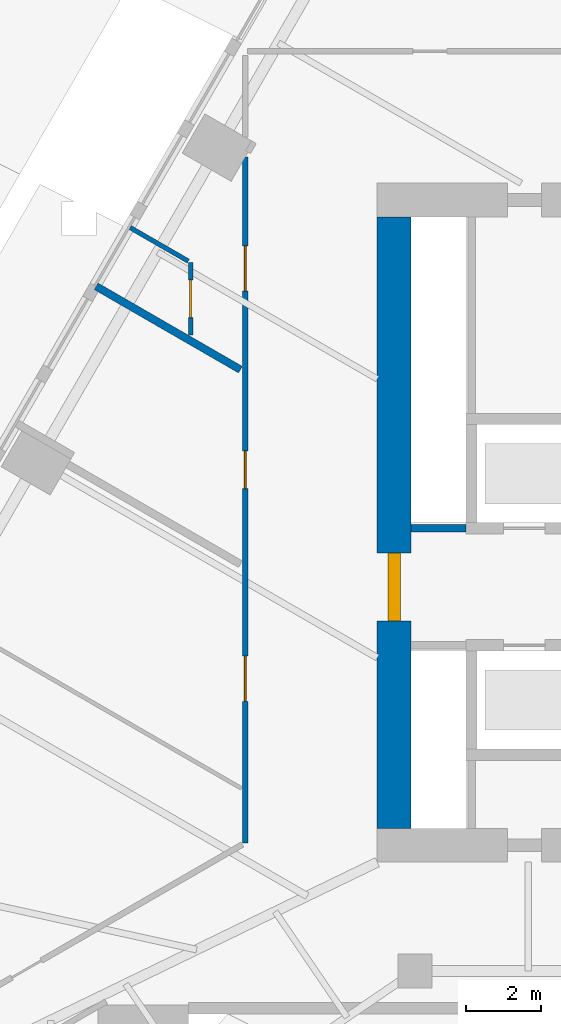
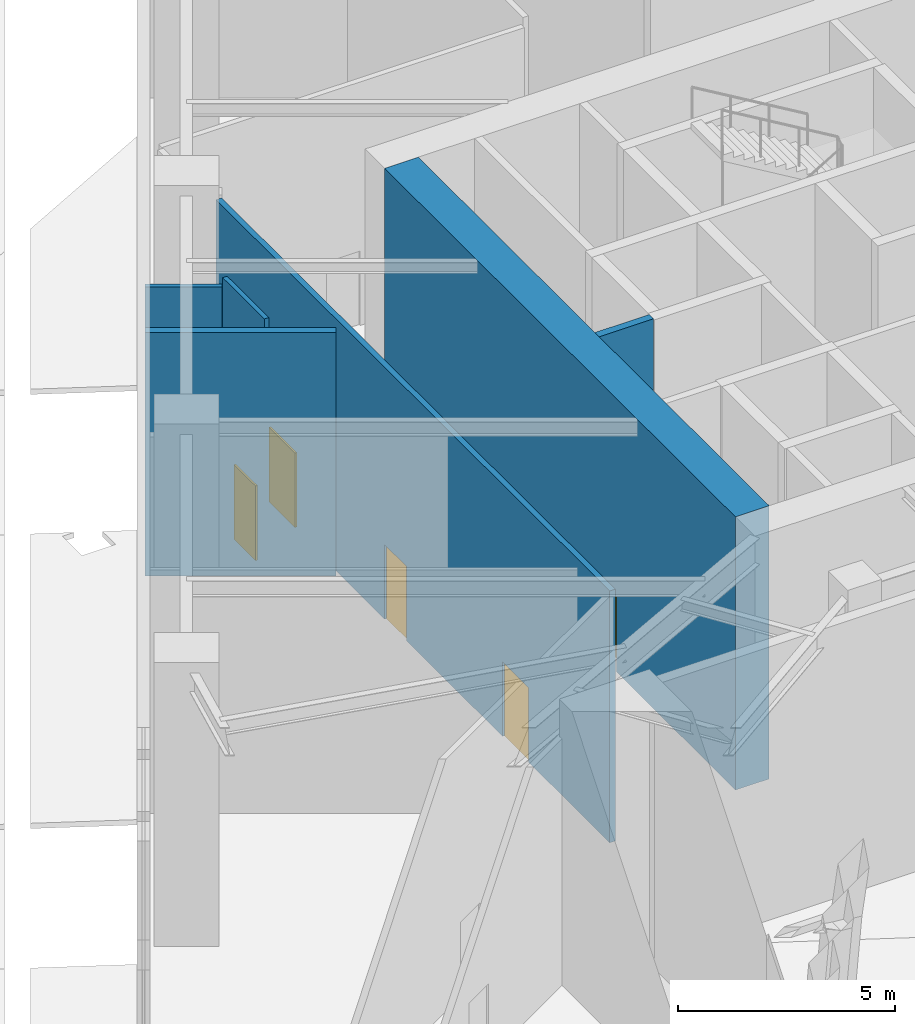
# One storey, part 12 of 34: 6 walls, 5 doors, 5 openings.
"""IFC4 building model written with IfcOpenShell, lengths in metres."""

from ifc_helpers import new_model, si_unit, direction, frame, frame_2d, origin, place, context, subcontext, project, spatial, rectangle, extrude, material, layer, layer_set, type_object, element, fill, save


model = new_model("IFC4")

# Units and contexts
model_context = context("Model", 3, precision=1e-05, world=origin(), true_north=direction((0.0, 1.0)))
body_context = subcontext(model_context, "Body", "Model", "MODEL_VIEW")
ifc_project = project(units=[si_unit("LENGTHUNIT", "METRE"), si_unit("AREAUNIT", "SQUARE_METRE"), si_unit("VOLUMEUNIT", "CUBIC_METRE"), si_unit("PLANEANGLEUNIT", "RADIAN"), si_unit("MASSUNIT", "GRAM", prefix="KILO")], contexts=[model_context])

# Site, building, storey
site_placement = place(None, origin())
site = spatial("IfcSite", under=ifc_project, at=site_placement, CompositionType="ELEMENT")
building_placement = place(site_placement, origin())
building = spatial("IfcBuilding", under=site, at=building_placement, Name="Firuza Gate Tower and Library", CompositionType="ELEMENT")
storey_placement = place(building_placement, origin())
storey = spatial("IfcBuildingStorey", under=building, at=storey_placement, Name="L00", CompositionType="ELEMENT", Elevation=0.0)

# Wall
ifc_material_1 = material(Name="Plasterboard on steel studs", Category="steel")
ifc_layer_1 = layer(ifc_material_1, 0.199951171875)
ifc_layer_set_1 = layer_set([ifc_layer_1], Name="Core partition 200 EI 120")
wall_type_1 = type_object("IfcWallType", Name="Core partition 200 EI 120", PredefinedType="PARTITIONING", material=ifc_layer_set_1)
wall_1_placement = place(storey_placement, frame((62.89990234375, 74.85009765625, 0.0), z_axis=(0.0, 0.0, 1.0), x_axis=(1.0, 0.0, 0.0)))
element("IfcWall", 1, at=wall_1_placement, inside=storey, type_object=wall_type_1, Name="Core partition L00 3", PredefinedType="PARTITIONING", context=body_context, shape_type="SweptSolid", body=[
    extrude(rectangle(XDim=1.4501953125, YDim=0.199951171875, at=frame_2d((0.72509765625, 0.0))), origin(), (0.0, 0.0, 1.0), 7.699951171875),
])

# Wall, opening, door
ifc_material_2 = material(Name="Concrete C80/95", Category="concrete")
ifc_layer_2 = layer(ifc_material_2, 0.89990234375)
ifc_layer_set_2 = layer_set([ifc_layer_2], Name="Core wall 900 C80/95")
wall_type_2 = type_object("IfcWallType", Name="Core wall 900 C80/95", PredefinedType="SHEAR", material=ifc_layer_set_2)
wall_2_placement = place(storey_placement, frame((62.449951171875, 66.89990234375, 0.0), z_axis=(0.0, 0.0, 1.0), x_axis=(0.0, 1.0, 0.0)))
wall_2 = element("IfcWall", 2, at=wall_2_placement, inside=storey, type_object=wall_type_2, Name="Core wall L00 3", PredefinedType="SHEAR", context=body_context, shape_type="SweptSolid", body=[
    extrude(rectangle(XDim=16.2001953125, YDim=0.89990234375, at=frame_2d((8.10009765625, 0.0))), origin(), (0.0, 0.0, 1.0), 7.699951171875),
])
opening_1_placement = place(wall_2_placement, frame((5.5, 0.0, 0.0)))
opening_1 = element("IfcOpeningElement", 3, at=opening_1_placement, cuts=wall_2, Name="Opening L00-K26", PredefinedType="OPENING", context=body_context, shape_type="SweptSolid", body=[
    extrude(rectangle(XDim=1.800048828125, YDim=2.10009765625, at=frame_2d((0.89990234375, 1.050048828125))), frame((0.0, 0.4599609375, 0.0), z_axis=(0.0, -1.0, 0.0), x_axis=(1.0, 0.0, 0.0)), (0.0, 0.0, 1.0), 0.919921875),
])
ifc_material_3 = material(Name="Steel", Category="steel")
door_type_1 = type_object("IfcDoorType", Name="Fire door 1800x2100 FD30S", OperationType="NOTDEFINED", PredefinedType="DOOR", material=ifc_material_3)
door_1_placement = place(opening_1_placement, origin())
door_1 = element("IfcDoor", 4, at=door_1_placement, inside=storey, type_object=door_type_1, Name="Door L00-K26", OperationType="SINGLE_SWING_LEFT", OverallHeight=2.10009765625, OverallWidth=1.800048828125, PredefinedType="DOOR", context=body_context, shape_type="SweptSolid", body=[
    extrude(rectangle(XDim=1.800048828125, YDim=2.10009765625, at=frame_2d((0.89990234375, 1.050048828125))), frame((0.0, 0.169921875, 0.0), z_axis=(0.0, -1.0, 0.0), x_axis=(1.0, 0.0, 0.0)), (0.0, 0.0, 1.0), 0.33984375),
])
fill(opening_1, door_1)

# Wall, openings, doors
ifc_material_4 = material(Name="Gypsum board partition")
ifc_layer_3 = layer(ifc_material_4, 0.14990234375)
ifc_layer_set_3 = layer_set([ifc_layer_3], Name="Corridor wall 150 double board on steel studs")
wall_type_3 = type_object("IfcWallType", Name="Corridor wall 150 double board on steel studs", PredefinedType="PARTITIONING", material=ifc_layer_set_3)
wall_3_placement = place(storey_placement, frame((58.5, 66.512939453125, 0.0), z_axis=(0.0, 0.0, 1.0), x_axis=(0.0, 1.0, 0.0)))
wall_3 = element("IfcWall", 5, at=wall_3_placement, inside=storey, type_object=wall_type_3, Name="f:L00:w023", PredefinedType="PARTITIONING", context=body_context, shape_type="SweptSolid", body=[
    extrude(rectangle(XDim=18.17724609375, YDim=0.14990234375, at=frame_2d((9.088623046875, 0.0))), origin(), (0.0, 0.0, 1.0), 7.10009765625),
])
opening_2_placement = place(wall_3_placement, frame((3.75048828125, 0.0, 0.0)))
opening_2 = element("IfcOpeningElement", 6, at=opening_2_placement, cuts=wall_3, Name="Opening L00-10", PredefinedType="OPENING", context=body_context, shape_type="SweptSolid", body=[
    extrude(rectangle(XDim=1.199951171875, YDim=2.10009765625, at=frame_2d((0.60009765625, 1.050048828125))), frame((0.0, 0.0849609375, 0.0), z_axis=(0.0, -1.0, 0.0), x_axis=(1.0, 0.0, 0.0)), (0.0, 0.0, 1.0), 0.169921875),
])
opening_3_placement = place(wall_3_placement, frame((9.39306640625, 0.0, 0.0)))
opening_3 = element("IfcOpeningElement", 7, at=opening_3_placement, cuts=wall_3, Name="Opening L00-11", PredefinedType="OPENING", context=body_context, shape_type="SweptSolid", body=[
    extrude(rectangle(XDim=1.0, YDim=2.10009765625, at=frame_2d((0.5, 1.050048828125))), frame((0.0, 0.0849609375, 0.0), z_axis=(0.0, -1.0, 0.0), x_axis=(1.0, 0.0, 0.0)), (0.0, 0.0, 1.0), 0.169921875),
])
opening_4_placement = place(wall_3_placement, frame((14.62255859375, 0.0, 0.0)))
opening_4 = element("IfcOpeningElement", 8, at=opening_4_placement, cuts=wall_3, Name="Opening L00-12", PredefinedType="OPENING", context=body_context, shape_type="SweptSolid", body=[
    extrude(rectangle(XDim=1.199951171875, YDim=2.10009765625, at=frame_2d((0.60009765625, 1.050048828125))), frame((0.0, 0.0849609375, 0.0), z_axis=(0.0, -1.0, 0.0), x_axis=(1.0, 0.0, 0.0)), (0.0, 0.0, 1.0), 0.169921875),
])
ifc_material_5 = material(Name="Steel door and timber leaf", Category="steel")
door_type_2 = type_object("IfcDoorType", Name="Fire door 1000 x 2100 steel frame, timber leaf", OperationType="NOTDEFINED", PredefinedType="DOOR", material=ifc_material_5)
door_2_placement = place(opening_3_placement, origin())
door_2 = element("IfcDoor", 9, at=door_2_placement, inside=storey, type_object=door_type_2, Name="f:L00:d011", OperationType="SINGLE_SWING_RIGHT", OverallHeight=2.10009765625, OverallWidth=1.0, PredefinedType="DOOR", context=body_context, shape_type="SweptSolid", body=[
    extrude(rectangle(XDim=1.0, YDim=2.10009765625, at=frame_2d((0.5, 1.050048828125))), frame((0.0, 0.02490234375, 0.0), z_axis=(0.0, -1.0, 0.0), x_axis=(1.0, 0.0, 0.0)), (0.0, 0.0, 1.0), 0.050048828125),
])
fill(opening_3, door_2)
ifc_material_6 = material(Name="Steel door and timber leaf", Category="steel")
door_type_3 = type_object("IfcDoorType", Name="Fire door 1200 x 2100 steel frame, double leaf", OperationType="NOTDEFINED", PredefinedType="DOOR", material=ifc_material_6)
door_3_placement = place(opening_2_placement, origin())
door_3 = element("IfcDoor", 10, at=door_3_placement, inside=storey, type_object=door_type_3, Name="f:L00:d010", OperationType="DOUBLE_DOOR_SINGLE_SWING", OverallHeight=2.10009765625, OverallWidth=1.199951171875, PredefinedType="DOOR", context=body_context, shape_type="SweptSolid", body=[
    extrude(rectangle(XDim=1.199951171875, YDim=2.10009765625, at=frame_2d((0.60009765625, 1.050048828125))), frame((0.0, 0.02490234375, 0.0), z_axis=(0.0, -1.0, 0.0), x_axis=(1.0, 0.0, 0.0)), (0.0, 0.0, 1.0), 0.050048828125),
])
fill(opening_2, door_3)
door_4_placement = place(opening_4_placement, origin())
door_4 = element("IfcDoor", 11, at=door_4_placement, inside=storey, type_object=door_type_3, Name="f:L00:d012", OperationType="DOUBLE_DOOR_SINGLE_SWING", OverallHeight=2.10009765625, OverallWidth=1.199951171875, PredefinedType="DOOR", context=body_context, shape_type="SweptSolid", body=[
    extrude(rectangle(XDim=1.199951171875, YDim=2.10009765625, at=frame_2d((0.60009765625, 1.050048828125))), frame((0.0, 0.02490234375, 0.0), z_axis=(0.0, -1.0, 0.0), x_axis=(1.0, 0.0, 0.0)), (0.0, 0.0, 1.0), 0.050048828125),
])
fill(opening_4, door_4)

# Wall
ifc_material_7 = material(Name="Gypsum board partition")
ifc_layer_4 = layer(ifc_material_7, 0.199951171875)
ifc_layer_set_4 = layer_set([ifc_layer_4], Name="Demising wall 200 acoustic double stud")
wall_type_4 = type_object("IfcWallType", Name="Demising wall 200 acoustic double stud", PredefinedType="PARTITIONING", material=ifc_layer_set_4)
wall_4_placement = place(storey_placement, frame((58.373046875, 79.05712890625, 0.0), z_axis=(0.0, 0.0, 1.0), x_axis=(-0.866032712554, 0.499987340626, 0.0)))
element("IfcWall", 12, at=wall_4_placement, inside=storey, type_object=wall_type_4, Name="f:L00:w033", PredefinedType="PARTITIONING", context=body_context, shape_type="SweptSolid", body=[
    extrude(rectangle(XDim=4.41455078125, YDim=0.199951171875, at=frame_2d((2.207275390625, 0.0))), origin(), (0.0, 0.0, 1.0), 6.864990234375),
])

# Wall, opening, door
ifc_material_8 = material(Name="Gypsum board partition")
ifc_layer_5 = layer(ifc_material_8, 0.1201171875)
ifc_layer_set_5 = layer_set([ifc_layer_5], Name="Wet-area partition 120 moisture-resistant board")
wall_type_5 = type_object("IfcWallType", Name="Wet-area partition 120 moisture-resistant board", PredefinedType="PARTITIONING", material=ifc_layer_set_5)
wall_5_placement = place(storey_placement, frame((57.050048828125, 81.8994140625, 0.0), z_axis=(0.0, 0.0, 1.0), x_axis=(0.0, -1.0, 0.0)))
wall_5 = element("IfcWall", 13, at=wall_5_placement, inside=storey, type_object=wall_type_5, Name="f:L00:w025", PredefinedType="PARTITIONING", context=body_context, shape_type="SweptSolid", body=[
    extrude(rectangle(XDim=1.923095703125, YDim=0.1201171875, at=frame_2d((0.96142578125, 0.0))), origin(), (0.0, 0.0, 1.0), 7.10009765625),
])
opening_5_placement = place(wall_5_placement, frame((0.46142578125, 0.0, 0.0)))
opening_5 = element("IfcOpeningElement", 14, at=opening_5_placement, cuts=wall_5, Name="Opening L00-13", PredefinedType="OPENING", context=body_context, shape_type="SweptSolid", body=[
    extrude(rectangle(XDim=1.0, YDim=2.10009765625, at=frame_2d((0.5, 1.050048828125))), frame((0.0, 0.070068359375, 0.0), z_axis=(0.0, -1.0, 0.0), x_axis=(1.0, 0.0, 0.0)), (0.0, 0.0, 1.0), 0.14013671875),
])
ifc_material_9 = material(Name="Timber door", Category="wood")
door_type_4 = type_object("IfcDoorType", Name="Door 1000 x 2100 timber leaf", OperationType="NOTDEFINED", PredefinedType="DOOR", material=ifc_material_9)
door_5_placement = place(opening_5_placement, origin())
door_5 = element("IfcDoor", 15, at=door_5_placement, inside=storey, type_object=door_type_4, Name="f:L00:d013", OperationType="SINGLE_SWING_RIGHT", OverallHeight=2.10009765625, OverallWidth=1.0, PredefinedType="DOOR", context=body_context, shape_type="SweptSolid", body=[
    extrude(rectangle(XDim=1.0, YDim=2.10009765625, at=frame_2d((0.5, 1.050048828125))), frame((0.0, 0.02490234375, 0.0), z_axis=(0.0, -1.0, 0.0), x_axis=(1.0, 0.0, 0.0)), (0.0, 0.0, 1.0), 0.050048828125),
])
fill(opening_5, door_5)

# Wall
wall_6_placement = place(storey_placement, frame((56.989990234375, 81.93408203125, 0.0), z_axis=(0.0, 0.0, 1.0), x_axis=(-0.866055292018, 0.499948228488, 0.0)))
element("IfcWall", 16, at=wall_6_placement, inside=storey, type_object=wall_type_5, Name="f:L00:w032", PredefinedType="PARTITIONING", context=body_context, shape_type="SweptSolid", body=[
    extrude(rectangle(XDim=1.778564453125, YDim=0.1201171875, at=frame_2d((0.88916015625, 0.0))), origin(), (0.0, 0.0, 1.0), 6.864990234375),
])

save(model, "model.ifc")
